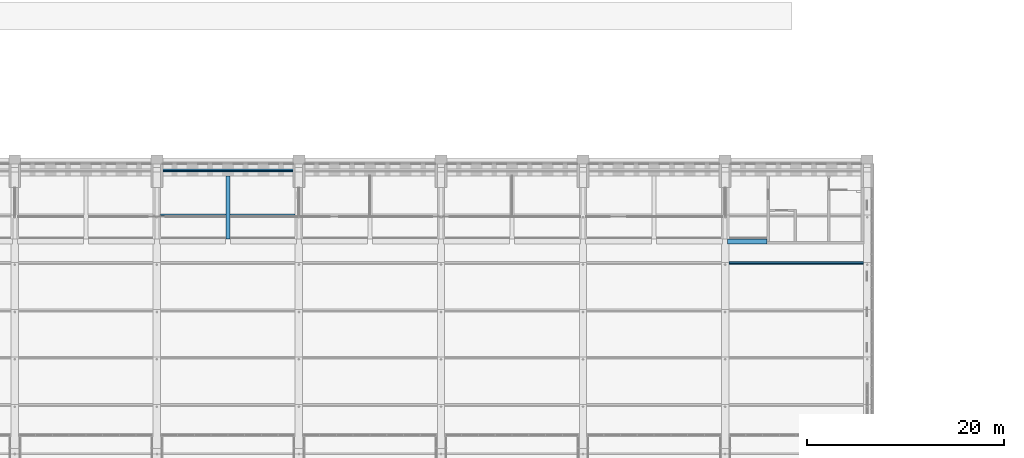
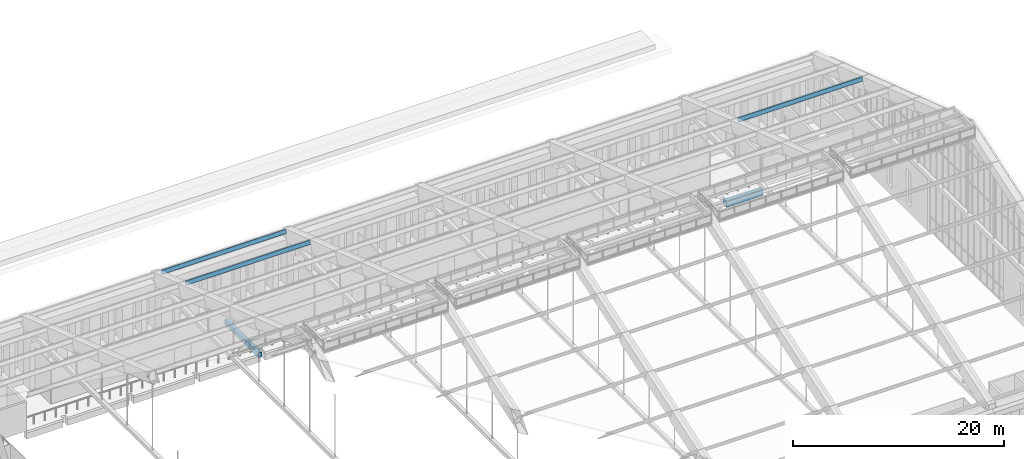
# One storey, part 85 of 149: 3 members, 2 beams.
"""IFC4 building model written with IfcOpenShell, lengths in metres."""

from ifc_helpers import new_model, si_unit, direction, frame, origin, origin_2d, place, context, subcontext, project, spatial, rectangle, i_section, extrude, material, material_profile, profile_set, type_object, element, save


model = new_model("IFC4")

# Units and contexts
model_context = context("Model", 3, precision=1e-05, world=origin(), true_north=direction((0.0, 1.0)))
body_context = subcontext(model_context, "Body", "Model", "MODEL_VIEW")
ifc_project = project(units=[si_unit("LENGTHUNIT", "METRE"), si_unit("AREAUNIT", "SQUARE_METRE"), si_unit("VOLUMEUNIT", "CUBIC_METRE"), si_unit("PLANEANGLEUNIT", "RADIAN"), si_unit("MASSUNIT", "GRAM", prefix="KILO")], contexts=[model_context])

# Site, building, storey
site_placement = place(None, origin())
site = spatial("IfcSite", under=ifc_project, at=site_placement, CompositionType="ELEMENT")
building_placement = place(site_placement, origin())
building = spatial("IfcBuilding", under=site, at=building_placement, Name="Alderwick Market Hall", CompositionType="ELEMENT")
storey_placement = place(building_placement, frame((0.0, 0.0, 9.60009765625)))
storey = spatial("IfcBuildingStorey", under=building, at=storey_placement, Name="L01", CompositionType="ELEMENT", Elevation=9.60009765625)

# Beams
ifc_material_1 = material(Name="Concrete 5000 psi (f'c 35 MPa)", Category="concrete")
ifc_material_profile_1 = material_profile(ifc_material_1, rectangle(XDim=0.5, YDim=0.699951171875, at=origin_2d()), Name="RC 500x700")
ifc_profile_set_1 = profile_set([ifc_material_profile_1], Name="Concrete 5000 psi (f'c 35 MPa)")
beam_type_1 = type_object("IfcBeamType", Name="H Edge beam 500x700", PredefinedType="BEAM", material=ifc_profile_set_1)
beam_1_placement = place(storey_placement, frame((137.050048828125, 100.760009765625, -0.60009765625), z_axis=(1.0, 0.0, 0.0), x_axis=(0.0, 1.0, 0.0)))
element("IfcBeam", 1, at=beam_1_placement, inside=storey, type_object=beam_type_1, Name="Gallery edge beam N", PredefinedType="BEAM", context=body_context, shape_type="SweptSolid", body=[
    extrude(rectangle(XDim=0.5, YDim=0.699951171875, at=origin_2d()), origin(), (0.0, 0.0, 1.0), 4.0),
])
ifc_material_profile_2 = material_profile(ifc_material_1, rectangle(XDim=0.39990234375, YDim=0.60009765625, at=origin_2d()), Name="RC 400x600")
ifc_profile_set_2 = profile_set([ifc_material_profile_2], Name="Concrete 5000 psi (f'c 35 MPa)")
beam_type_2 = type_object("IfcBeamType", Name="H Gallery beam 400x600", PredefinedType="BEAM", material=ifc_profile_set_2)
beam_2_placement = place(storey_placement, frame((86.39990234375, 107.39990234375, -0.550048828125), z_axis=(0.0, -1.0, 0.0), x_axis=(1.0, 0.0, 0.0)))
element("IfcBeam", 2, at=beam_2_placement, inside=storey, type_object=beam_type_2, Name="Gallery beam N", PredefinedType="BEAM", context=body_context, shape_type="SweptSolid", body=[
    extrude(rectangle(XDim=0.39990234375, YDim=0.60009765625, at=origin_2d()), origin(), (0.0, 0.0, 1.0), 6.389892578125),
])

# Members
ifc_material_2 = material(Name="Steel ASTM A992 Grade 50", Category="steel")
ifc_material_profile_3 = material_profile(ifc_material_2, i_section(OverallWidth=0.153076171875, OverallDepth=0.455078125, WebThickness=0.008056640625, FlangeThickness=0.01318359375, at=origin_2d()), Name="W18x40")
ifc_profile_set_3 = profile_set([ifc_material_profile_3], Name="Steel ASTM A992 Grade 50")
member_type = type_object("IfcMemberType", Name="R Purlin W18x40", PredefinedType="PURLIN", material=ifc_profile_set_3)
member_placement = place(storey_placement, frame((137.175048828125, 98.563232421875, 10.289794921875), z_axis=(1.0, 0.0, 0.0), x_axis=(0.0, 0.948683297073, -0.316227768949)))
element("IfcMember", 3, at=member_placement, inside=storey, type_object=member_type, Name="Roof purlin 11.7", PredefinedType="PURLIN", context=body_context, shape_type="SweptSolid", body=[
    extrude(i_section(OverallWidth=0.153076171875, OverallDepth=0.455078125, WebThickness=0.008056640625, FlangeThickness=0.01318359375, at=origin_2d()), origin(), (0.0, 0.0, 1.0), 13.64990234375),
])
for number, where, z_axis, x_axis, name in (
    (4, (79.574951171875, 103.36328125, 8.68994140625), (1.0, 0.0, 0.0), (0.0, 0.948683297073, -0.316227768949), "Roof purlin 12.3"),
    (5, (79.574951171875, 107.92626953125, 7.1689453125), (1.0, 0.0, 0.0), (0.0, 0.948683297073, -0.316227768949), "Roof purlin 13.3"),
):
    element("IfcMember", number, at=place(storey_placement, frame(where, z_axis=z_axis, x_axis=x_axis)), inside=storey, type_object=member_type, Name=name, PredefinedType="PURLIN", context=body_context, shape_type="SweptSolid", body=[
        extrude(i_section(OverallWidth=0.153076171875, OverallDepth=0.455078125, WebThickness=0.008056640625, FlangeThickness=0.01318359375, at=origin_2d()), origin(), (0.0, 0.0, 1.0), 13.650146484375),
    ])

save(model, "model.ifc")
